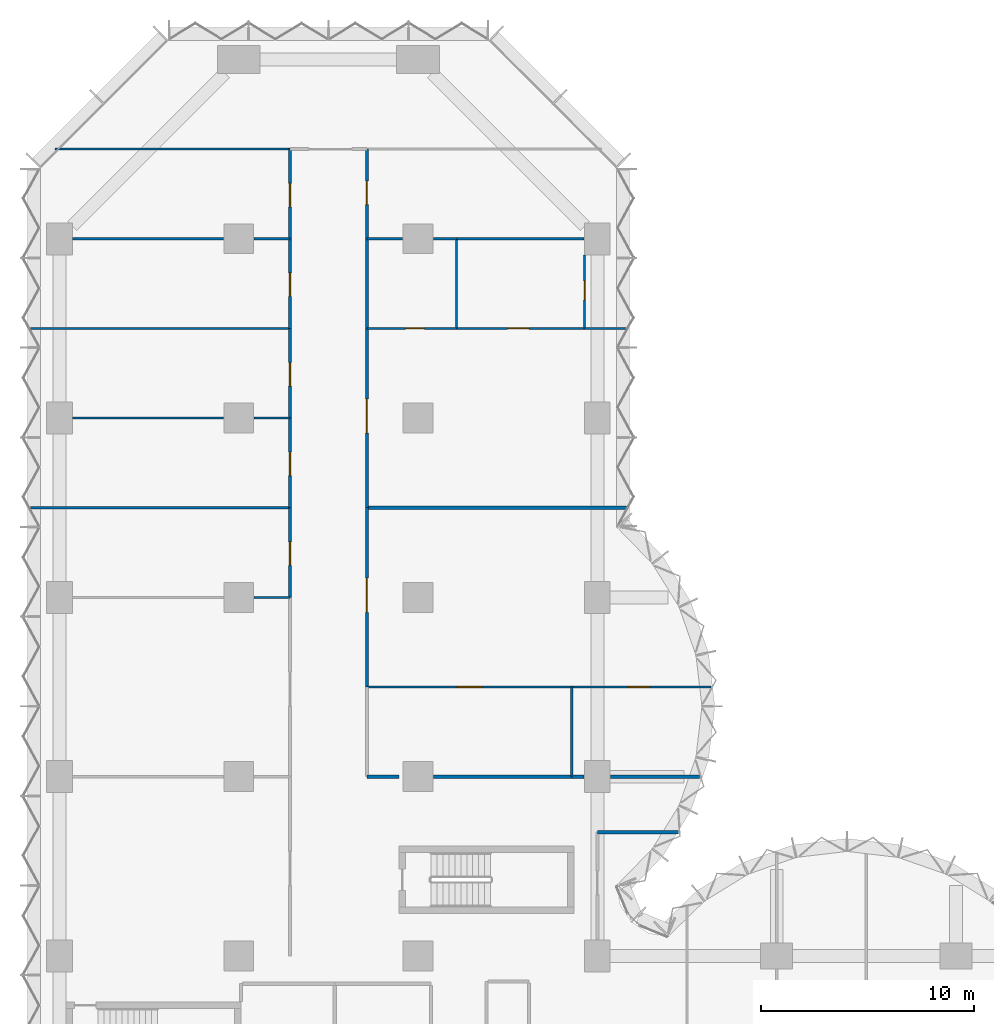
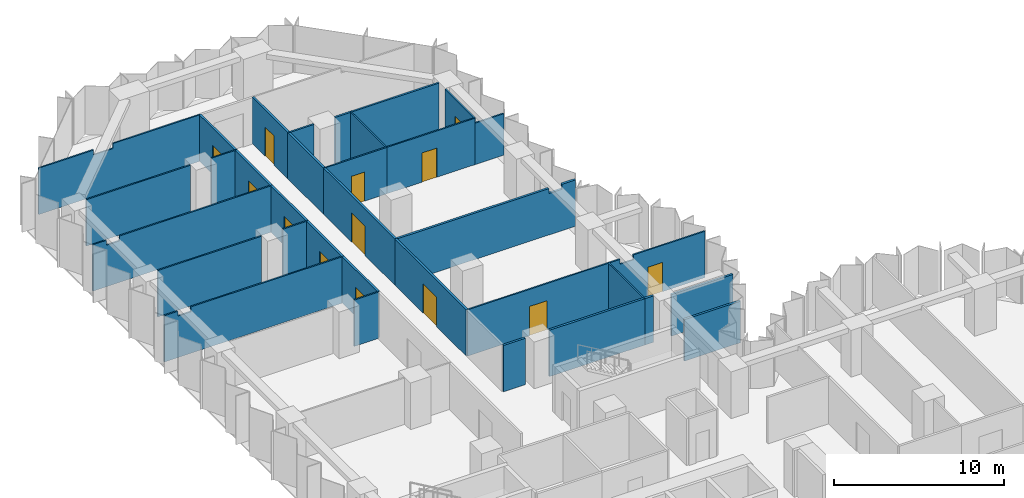
# One storey, part 11 of 15: 34 walls, 13 doors, 13 openings.
"""IFC4 building model written with IfcOpenShell, lengths in metres."""

from ifc_helpers import new_model, si_unit, direction, frame, frame_2d, origin, place, context, subcontext, project, spatial, polyline, rectangle, outline, extrude, material, layer, layer_set, type_object, element, fill, save


model = new_model("IFC4")

# Units and contexts
model_context = context("Model", 3, precision=1e-05, world=origin(), true_north=direction((0.0, 1.0)))
body_context = subcontext(model_context, "Body", "Model", "MODEL_VIEW")
ifc_project = project(units=[si_unit("LENGTHUNIT", "METRE"), si_unit("AREAUNIT", "SQUARE_METRE"), si_unit("VOLUMEUNIT", "CUBIC_METRE"), si_unit("PLANEANGLEUNIT", "RADIAN"), si_unit("MASSUNIT", "GRAM", prefix="KILO")], contexts=[model_context])

# Site, building, storey
site_placement = place(None, origin())
site = spatial("IfcSite", under=ifc_project, at=site_placement, CompositionType="ELEMENT")
building_placement = place(site_placement, origin())
building = spatial("IfcBuilding", under=site, at=building_placement, Name="Brevane Broadcast Tower", CompositionType="ELEMENT")
storey_placement = place(building_placement, frame((0.0, 0.0, 68.89990234375)))
storey = spatial("IfcBuildingStorey", under=building, at=storey_placement, Name="L15", CompositionType="ELEMENT", Elevation=68.89990234375)

# Walls
ifc_material_1 = material(Name="Gypsum board partition")
ifc_layer_1 = layer(ifc_material_1, 0.10009765625)
ifc_layer_set_1 = layer_set([ifc_layer_1], Name="PARTITION 100 STUD")
wall_type_1 = type_object("IfcWallType", Name="PARTITION 100 STUD", PredefinedType="PARTITIONING", material=ifc_layer_set_1)
wall_1_placement = place(storey_placement, frame((10.800048828125, 63.0, 0.0), z_axis=(0.0, 0.0, 1.0), x_axis=(-1.0, 0.0, 0.0)))
element("IfcWall", 1, at=wall_1_placement, inside=storey, type_object=wall_type_1, Name="Partition G04-054", PredefinedType="PARTITIONING", context=body_context, shape_type="SweptSolid", body=[
    extrude(outline(polyline([(0.0, 0.0), (11.0, 0.0), (11.0, 3.330078125), (7.265625, 3.330078125), (7.263671875, 2.97998046875), (5.936279296875, 2.97998046875), (5.934326171875, 3.330078125), (0.0, 3.330078125), (0.0, 0.0)])), frame((0.0, 0.050048828125, 0.0), z_axis=(0.0, -1.0, 0.0), x_axis=(1.0, 0.0, 0.0)), (0.0, 0.0, 1.0), 0.10009765625),
])
wall_2_placement = place(storey_placement, frame((9.1201171875, 42.0, 0.0), z_axis=(0.0, 0.0, 1.0), x_axis=(1.0, 0.0, 0.0)))
element("IfcWall", 2, at=wall_2_placement, inside=storey, type_object=wall_type_1, Name="Partition G04-059", PredefinedType="PARTITIONING", context=body_context, shape_type="SweptSolid", body=[
    extrude(rectangle(XDim=1.679931640625, YDim=0.10009765625, at=frame_2d((0.83984375, 0.0))), origin(), (0.0, 0.0, 1.0), 3.330078125),
])
wall_3_placement = place(storey_placement, frame((-1.364990234375, 46.199951171875, 0.0), z_axis=(0.0, 0.0, 1.0), x_axis=(1.0, 0.0, 0.0)))
element("IfcWall", 3, at=wall_3_placement, inside=storey, type_object=wall_type_1, Name="Partition G04-060", PredefinedType="PARTITIONING", context=body_context, shape_type="SweptSolid", body=[
    extrude(outline(polyline([(0.0, 0.0), (12.1650390625, 0.0), (12.1650390625, 3.330078125), (1.81494140625, 3.330078125), (1.81298828125, 2.97998046875), (0.9169921875, 2.97998046875), (0.9150390625, 3.330078125), (0.264892578125, 3.330078125), (0.0, 3.330078125), (0.0, 0.0)])), frame((0.0, 0.050048828125, 0.0), z_axis=(0.0, -1.0, 0.0), x_axis=(1.0, 0.0, 0.0)), (0.0, 0.0, 1.0), 0.10009765625),
])
wall_4_placement = place(storey_placement, frame((0.6201171875, 50.39990234375, 0.0), z_axis=(0.0, 0.0, 1.0), x_axis=(1.0, 0.0, 0.0)))
element("IfcWall", 4, at=wall_4_placement, inside=storey, type_object=wall_type_1, Name="Partition G04-061", PredefinedType="PARTITIONING", context=body_context, shape_type="SweptSolid", body=[
    extrude(rectangle(XDim=7.059814453125, YDim=0.10009765625, at=frame_2d((3.52978515625, 0.0))), origin(), (0.0, 0.0, 1.0), 3.330078125),
])
wall_5_placement = place(storey_placement, frame((9.1201171875, 50.39990234375, 0.0), z_axis=(0.0, 0.0, 1.0), x_axis=(1.0, 0.0, 0.0)))
element("IfcWall", 5, at=wall_5_placement, inside=storey, type_object=wall_type_1, Name="Partition G04-062", PredefinedType="PARTITIONING", context=body_context, shape_type="SweptSolid", body=[
    extrude(rectangle(XDim=1.679931640625, YDim=0.10009765625, at=frame_2d((0.83984375, 0.0))), origin(), (0.0, 0.0, 1.0), 3.330078125),
])
wall_6_placement = place(storey_placement, frame((-1.364990234375, 54.60009765625, 0.0), z_axis=(0.0, 0.0, 1.0), x_axis=(1.0, 0.0, 0.0)))
element("IfcWall", 6, at=wall_6_placement, inside=storey, type_object=wall_type_1, Name="Partition G04-063", PredefinedType="PARTITIONING", context=body_context, shape_type="SweptSolid", body=[
    extrude(outline(polyline([(0.0, 0.0), (12.1650390625, 0.0), (12.1650390625, 3.330078125), (1.81494140625, 3.330078125), (1.81298828125, 2.97998046875), (0.9169921875, 2.97998046875), (0.9150390625, 3.330078125), (0.264892578125, 3.330078125), (0.0, 3.330078125), (0.0, 0.0)])), frame((0.0, 0.050048828125, 0.0), z_axis=(0.0, -1.0, 0.0), x_axis=(1.0, 0.0, 0.0)), (0.0, 0.0, 1.0), 0.10009765625),
])
wall_7_placement = place(storey_placement, frame((0.6201171875, 58.800048828125, 0.0), z_axis=(0.0, 0.0, 1.0), x_axis=(1.0, 0.0, 0.0)))
element("IfcWall", 7, at=wall_7_placement, inside=storey, type_object=wall_type_1, Name="Partition G04-064", PredefinedType="PARTITIONING", context=body_context, shape_type="SweptSolid", body=[
    extrude(rectangle(XDim=7.059814453125, YDim=0.10009765625, at=frame_2d((3.52978515625, 0.0))), origin(), (0.0, 0.0, 1.0), 3.330078125),
])
wall_8_placement = place(storey_placement, frame((9.1201171875, 58.800048828125, 0.0), z_axis=(0.0, 0.0, 1.0), x_axis=(1.0, 0.0, 0.0)))
element("IfcWall", 8, at=wall_8_placement, inside=storey, type_object=wall_type_1, Name="Partition G04-065", PredefinedType="PARTITIONING", context=body_context, shape_type="SweptSolid", body=[
    extrude(rectangle(XDim=1.679931640625, YDim=0.10009765625, at=frame_2d((0.83984375, 0.0))), origin(), (0.0, 0.0, 1.0), 3.330078125),
])

# Wall, opening, door
wall_9_placement = place(storey_placement, frame((24.0, 37.800048828125, 0.0), z_axis=(0.0, 0.0, 1.0), x_axis=(-1.0, 0.0, 0.0)))
wall_9 = element("IfcWall", 9, at=wall_9_placement, inside=storey, type_object=wall_type_1, Name="Partition G04-066", PredefinedType="PARTITIONING", context=body_context, shape_type="SweptSolid", body=[
    extrude(rectangle(XDim=9.60009765625, YDim=0.10009765625, at=frame_2d((4.800048828125, 0.0))), origin(), (0.0, 0.0, 1.0), 3.330078125),
])
opening_1_placement = place(wall_9_placement, frame((4.199951171875, 0.0, 0.0)))
opening_1 = element("IfcOpeningElement", 10, at=opening_1_placement, cuts=wall_9, Name="Opening D10-023", PredefinedType="OPENING", context=body_context, shape_type="SweptSolid", body=[
    extrude(rectangle(XDim=1.199951171875, YDim=2.10009765625, at=frame_2d((0.60009765625, 1.050048828125))), frame((0.0, 0.06005859375, 0.0), z_axis=(0.0, -1.0, 0.0), x_axis=(1.0, 0.0, 0.0)), (0.0, 0.0, 1.0), 0.1201171875),
])
ifc_material_2 = material(Name="Timber door leaf", Category="wood")
door_type_1 = type_object("IfcDoorType", Name="DOOR SINGLE 1200 INTERNAL", OperationType="SINGLE_SWING_LEFT", PredefinedType="DOOR", material=ifc_material_2)
door_1_placement = place(opening_1_placement, origin())
door_1 = element("IfcDoor", 11, at=door_1_placement, inside=storey, type_object=door_type_1, Name="Door D10-023", OperationType="SINGLE_SWING_LEFT", OverallHeight=2.10009765625, OverallWidth=1.199951171875, PredefinedType="DOOR", context=body_context, shape_type="SweptSolid", body=[
    extrude(rectangle(XDim=1.199951171875, YDim=2.10009765625, at=frame_2d((0.60009765625, 1.050048828125))), frame((0.0, 0.02490234375, 0.0), z_axis=(0.0, -1.0, 0.0), x_axis=(1.0, 0.0, 0.0)), (0.0, 0.0, 1.0), 0.050048828125),
])
fill(opening_1, door_1)

wall_10_placement = place(storey_placement, frame((30.52587890625, 37.800048828125, 0.0), z_axis=(0.0, 0.0, 1.0), x_axis=(-1.0, 0.0, 0.0)))
wall_10 = element("IfcWall", 12, at=wall_10_placement, inside=storey, type_object=wall_type_1, Name="Partition G04-067", PredefinedType="PARTITIONING", context=body_context, shape_type="SweptSolid", body=[
    extrude(outline(polyline([(0.0, 0.0), (6.52587890625, 0.0), (6.52587890625, 3.330078125), (5.77587890625, 3.330078125), (5.77392578125, 2.97998046875), (4.8779296875, 2.97998046875), (4.8759765625, 3.330078125), (0.283203125, 3.330078125), (0.0, 3.330078125), (0.0, 0.0)])), frame((0.0, 0.050048828125, 0.0), z_axis=(0.0, -1.0, 0.0), x_axis=(1.0, 0.0, 0.0)), (0.0, 0.0, 1.0), 0.10009765625),
])
opening_2_placement = place(wall_10_placement, frame((2.88330078125, 0.0, 0.0)))
opening_2 = element("IfcOpeningElement", 13, at=opening_2_placement, cuts=wall_10, Name="Opening D10-024", PredefinedType="OPENING", context=body_context, shape_type="SweptSolid", body=[
    extrude(rectangle(XDim=1.0, YDim=2.10009765625, at=frame_2d((0.5, 1.050048828125))), frame((0.0, 0.06005859375, 0.0), z_axis=(0.0, -1.0, 0.0), x_axis=(1.0, 0.0, 0.0)), (0.0, 0.0, 1.0), 0.1201171875),
])
door_type_2 = type_object("IfcDoorType", Name="DOOR SINGLE 1000 INTERNAL", OperationType="SINGLE_SWING_LEFT", PredefinedType="DOOR", material=ifc_material_2)
door_2_placement = place(opening_2_placement, origin())
door_2 = element("IfcDoor", 14, at=door_2_placement, inside=storey, type_object=door_type_2, Name="Door D10-024", OperationType="SINGLE_SWING_LEFT", OverallHeight=2.10009765625, OverallWidth=1.0, PredefinedType="DOOR", context=body_context, shape_type="SweptSolid", body=[
    extrude(rectangle(XDim=1.0, YDim=2.10009765625, at=frame_2d((0.5, 1.050048828125))), frame((0.0, 0.02490234375, 0.0), z_axis=(0.0, -1.0, 0.0), x_axis=(1.0, 0.0, 0.0)), (0.0, 0.0, 1.0), 0.050048828125),
])
fill(opening_2, door_2)

# Wall
wall_11_placement = place(storey_placement, frame((24.0, 37.800048828125, 0.0), z_axis=(0.0, 0.0, 1.0), x_axis=(0.0, -1.0, 0.0)))
element("IfcWall", 15, at=wall_11_placement, inside=storey, type_object=wall_type_1, Name="Partition G04-069", PredefinedType="PARTITIONING", context=body_context, shape_type="SweptSolid", body=[
    extrude(rectangle(XDim=4.199951171875, YDim=0.10009765625, at=frame_2d((2.10009765625, 0.0))), origin(), (0.0, 0.0, 1.0), 3.330078125),
])

# Wall, opening, door
wall_12_placement = place(storey_placement, frame((14.39990234375, 54.60009765625, 0.0), z_axis=(0.0, 0.0, 1.0), x_axis=(1.0, 0.0, 0.0)))
wall_12 = element("IfcWall", 16, at=wall_12_placement, inside=storey, type_object=wall_type_1, Name="Partition G04-070", PredefinedType="PARTITIONING", context=body_context, shape_type="SweptSolid", body=[
    extrude(rectangle(XDim=4.2001953125, YDim=0.10009765625, at=frame_2d((2.10009765625, 0.0))), origin(), (0.0, 0.0, 1.0), 3.330078125),
])
opening_3_placement = place(wall_12_placement, frame((1.800048828125, 0.0, 0.0)))
opening_3 = element("IfcOpeningElement", 17, at=opening_3_placement, cuts=wall_12, Name="Opening D10-026", PredefinedType="OPENING", context=body_context, shape_type="SweptSolid", body=[
    extrude(rectangle(XDim=0.89990234375, YDim=2.10009765625, at=frame_2d((0.449951171875, 1.050048828125))), frame((0.0, 0.06005859375, 0.0), z_axis=(0.0, -1.0, 0.0), x_axis=(1.0, 0.0, 0.0)), (0.0, 0.0, 1.0), 0.1201171875),
])
door_type_3 = type_object("IfcDoorType", Name="DOOR SINGLE 900 INTERNAL", OperationType="SINGLE_SWING_LEFT", PredefinedType="DOOR", material=ifc_material_2)
door_3_placement = place(opening_3_placement, origin())
door_3 = element("IfcDoor", 18, at=door_3_placement, inside=storey, type_object=door_type_3, Name="Door D10-026", OperationType="SINGLE_SWING_LEFT", OverallHeight=2.10009765625, OverallWidth=0.89990234375, PredefinedType="DOOR", context=body_context, shape_type="SweptSolid", body=[
    extrude(rectangle(XDim=0.89990234375, YDim=2.10009765625, at=frame_2d((0.449951171875, 1.050048828125))), frame((0.0, 0.02490234375, 0.0), z_axis=(0.0, -1.0, 0.0), x_axis=(1.0, 0.0, 0.0)), (0.0, 0.0, 1.0), 0.050048828125),
])
fill(opening_3, door_3)

wall_13_placement = place(storey_placement, frame((18.60009765625, 54.60009765625, 0.0), z_axis=(0.0, 0.0, 1.0), x_axis=(1.0, 0.0, 0.0)))
wall_13 = element("IfcWall", 19, at=wall_13_placement, inside=storey, type_object=wall_type_1, Name="Partition G04-071", PredefinedType="PARTITIONING", context=body_context, shape_type="SweptSolid", body=[
    extrude(rectangle(XDim=6.0, YDim=0.10009765625, at=frame_2d((3.0, 0.0))), origin(), (0.0, 0.0, 1.0), 3.330078125),
])
opening_4_placement = place(wall_13_placement, frame((2.39990234375, 0.0, 0.0)))
opening_4 = element("IfcOpeningElement", 20, at=opening_4_placement, cuts=wall_13, Name="Opening D10-027", PredefinedType="OPENING", context=body_context, shape_type="SweptSolid", body=[
    extrude(rectangle(XDim=1.0, YDim=2.10009765625, at=frame_2d((0.5, 1.050048828125))), frame((0.0, 0.06005859375, 0.0), z_axis=(0.0, -1.0, 0.0), x_axis=(1.0, 0.0, 0.0)), (0.0, 0.0, 1.0), 0.1201171875),
])
door_4_placement = place(opening_4_placement, origin())
door_4 = element("IfcDoor", 21, at=door_4_placement, inside=storey, type_object=door_type_2, Name="Door D10-027", OperationType="SINGLE_SWING_LEFT", OverallHeight=2.10009765625, OverallWidth=1.0, PredefinedType="DOOR", context=body_context, shape_type="SweptSolid", body=[
    extrude(rectangle(XDim=1.0, YDim=2.10009765625, at=frame_2d((0.5, 1.050048828125))), frame((0.0, 0.02490234375, 0.0), z_axis=(0.0, -1.0, 0.0), x_axis=(1.0, 0.0, 0.0)), (0.0, 0.0, 1.0), 0.050048828125),
])
fill(opening_4, door_4)

# Walls
wall_14_placement = place(storey_placement, frame((24.60009765625, 54.60009765625, 0.0), z_axis=(0.0, 0.0, 1.0), x_axis=(1.0, 0.0, 0.0)))
element("IfcWall", 22, at=wall_14_placement, inside=storey, type_object=wall_type_1, Name="Partition G04-072", PredefinedType="PARTITIONING", context=body_context, shape_type="SweptSolid", body=[
    extrude(rectangle(XDim=1.96484375, YDim=0.10009765625, at=frame_2d((0.982421875, 0.0))), origin(), (0.0, 0.0, 1.0), 2.97998046875),
])
wall_15_placement = place(storey_placement, frame((18.60009765625, 58.800048828125, 0.0), z_axis=(0.0, 0.0, 1.0), x_axis=(0.0, -1.0, 0.0)))
element("IfcWall", 23, at=wall_15_placement, inside=storey, type_object=wall_type_1, Name="Partition G04-073", PredefinedType="PARTITIONING", context=body_context, shape_type="SweptSolid", body=[
    extrude(rectangle(XDim=4.199951171875, YDim=0.10009765625, at=frame_2d((2.10009765625, 0.0))), origin(), (0.0, 0.0, 1.0), 3.330078125),
])

# Wall, opening, door
wall_16_placement = place(storey_placement, frame((24.60009765625, 58.030029296875, 0.0), z_axis=(0.0, 0.0, 1.0), x_axis=(0.0, -1.0, 0.0)))
wall_16 = element("IfcWall", 24, at=wall_16_placement, inside=storey, type_object=wall_type_1, Name="Partition G04-076", PredefinedType="PARTITIONING", context=body_context, shape_type="SweptSolid", body=[
    extrude(rectangle(XDim=3.429931640625, YDim=0.10009765625, at=frame_2d((1.71484375, 0.0))), origin(), (0.0, 0.0, 1.0), 3.330078125),
])
opening_5_placement = place(wall_16_placement, frame((1.199951171875, 0.0, 0.0)))
opening_5 = element("IfcOpeningElement", 25, at=opening_5_placement, cuts=wall_16, Name="Opening D10-028", PredefinedType="OPENING", context=body_context, shape_type="SweptSolid", body=[
    extrude(rectangle(XDim=0.89990234375, YDim=2.10009765625, at=frame_2d((0.449951171875, 1.050048828125))), frame((0.0, 0.06005859375, 0.0), z_axis=(0.0, -1.0, 0.0), x_axis=(1.0, 0.0, 0.0)), (0.0, 0.0, 1.0), 0.1201171875),
])
door_5_placement = place(opening_5_placement, origin())
door_5 = element("IfcDoor", 26, at=door_5_placement, inside=storey, type_object=door_type_3, Name="Door D10-028", OperationType="SINGLE_SWING_LEFT", OverallHeight=2.10009765625, OverallWidth=0.89990234375, PredefinedType="DOOR", context=body_context, shape_type="SweptSolid", body=[
    extrude(rectangle(XDim=0.89990234375, YDim=2.10009765625, at=frame_2d((0.449951171875, 1.050048828125))), frame((0.0, 0.02490234375, 0.0), z_axis=(0.0, -1.0, 0.0), x_axis=(1.0, 0.0, 0.0)), (0.0, 0.0, 1.0), 0.050048828125),
])
fill(opening_5, door_5)

# Walls
ifc_layer_2 = layer(ifc_material_1, 0.125)
ifc_layer_set_2 = layer_set([ifc_layer_2], Name="PARTITION 125 ACOUSTIC")
wall_type_2 = type_object("IfcWallType", Name="PARTITION 125 ACOUSTIC", PredefinedType="PARTITIONING", material=ifc_layer_set_2)
wall_17_placement = place(storey_placement, frame((14.39990234375, 58.800048828125, 0.0), z_axis=(0.0, 0.0, 1.0), x_axis=(1.0, 0.0, 0.0)))
element("IfcWall", 27, at=wall_17_placement, inside=storey, type_object=wall_type_2, Name="Partition G04-074", PredefinedType="PARTITIONING", context=body_context, shape_type="SweptSolid", body=[
    extrude(rectangle(XDim=1.68017578125, YDim=0.125, at=frame_2d((0.840087890625, 0.0))), origin(), (0.0, 0.0, 1.0), 3.330078125),
])
wall_18_placement = place(storey_placement, frame((17.52001953125, 58.800048828125, 0.0), z_axis=(0.0, 0.0, 1.0), x_axis=(1.0, 0.0, 0.0)))
element("IfcWall", 28, at=wall_18_placement, inside=storey, type_object=wall_type_2, Name="Partition G04-075", PredefinedType="PARTITIONING", context=body_context, shape_type="SweptSolid", body=[
    extrude(rectangle(XDim=1.080078125, YDim=0.125, at=frame_2d((0.5400390625, 0.0))), origin(), (0.0, 0.0, 1.0), 3.330078125),
])
wall_19_placement = place(storey_placement, frame((18.60009765625, 58.800048828125, 0.0), z_axis=(0.0, 0.0, 1.0), x_axis=(1.0, 0.0, 0.0)))
element("IfcWall", 29, at=wall_19_placement, inside=storey, type_object=wall_type_2, Name="Partition G04-077", PredefinedType="PARTITIONING", context=body_context, shape_type="SweptSolid", body=[
    extrude(rectangle(XDim=5.97998046875, YDim=0.125, at=frame_2d((2.989990234375, 0.0))), origin(), (0.0, 0.0, 1.0), 3.330078125),
])
ifc_layer_3 = layer(ifc_material_1, 0.14990234375)
ifc_layer_set_3 = layer_set([ifc_layer_3], Name="PARTITION 150 EI 60")
wall_type_3 = type_object("IfcWallType", Name="PARTITION 150 EI 60", PredefinedType="PARTITIONING", material=ifc_layer_set_3)
wall_20_placement = place(storey_placement, frame((25.199951171875, 31.0, 0.0), z_axis=(0.0, 0.0, 1.0), x_axis=(1.0, 0.0, 0.0)))
element("IfcWall", 30, at=wall_20_placement, inside=storey, type_object=wall_type_3, Name="Partition G04-006", PredefinedType="PARTITIONING", context=body_context, shape_type="SweptSolid", body=[
    extrude(rectangle(XDim=3.80615234375, YDim=0.14990234375, at=frame_2d((1.903076171875, 0.0))), origin(), (0.0, 0.0, 1.0), 2.97998046875),
])
wall_21_placement = place(storey_placement, frame((14.39990234375, 33.60009765625, 0.0), z_axis=(0.0, 0.0, 1.0), x_axis=(1.0, 0.0, 0.0)))
element("IfcWall", 31, at=wall_21_placement, inside=storey, type_object=wall_type_3, Name="Partition G04-038", PredefinedType="PARTITIONING", context=body_context, shape_type="SweptSolid", body=[
    extrude(rectangle(XDim=1.5, YDim=0.14990234375, at=frame_2d((0.75, 0.0))), origin(), (0.0, 0.0, 1.0), 3.330078125),
])
wall_22_placement = place(storey_placement, frame((17.52001953125, 33.60009765625, 0.0), z_axis=(0.0, 0.0, 1.0), x_axis=(1.0, 0.0, 0.0)))
element("IfcWall", 32, at=wall_22_placement, inside=storey, type_object=wall_type_3, Name="Partition G04-039", PredefinedType="PARTITIONING", context=body_context, shape_type="SweptSolid", body=[
    extrude(rectangle(XDim=6.47998046875, YDim=0.14990234375, at=frame_2d((3.239990234375, 0.0))), origin(), (0.0, 0.0, 1.0), 3.330078125),
])
wall_23_placement = place(storey_placement, frame((24.0, 33.60009765625, 0.0), z_axis=(0.0, 0.0, 1.0), x_axis=(1.0, 0.0, 0.0)))
element("IfcWall", 33, at=wall_23_placement, inside=storey, type_object=wall_type_3, Name="Partition G04-040", PredefinedType="PARTITIONING", context=body_context, shape_type="SweptSolid", body=[
    extrude(rectangle(XDim=0.580078125, YDim=0.14990234375, at=frame_2d((0.2900390625, 0.0))), origin(), (0.0, 0.0, 1.0), 3.330078125),
])
wall_24_placement = place(storey_placement, frame((25.820068359375, 33.60009765625, 0.0), z_axis=(0.0, 0.0, 1.0), x_axis=(1.0, 0.0, 0.0)))
element("IfcWall", 34, at=wall_24_placement, inside=storey, type_object=wall_type_3, Name="Partition G04-041", PredefinedType="PARTITIONING", context=body_context, shape_type="SweptSolid", body=[
    extrude(rectangle(XDim=4.168212890625, YDim=0.14990234375, at=frame_2d((2.083984375, 0.0))), origin(), (0.0, 0.0, 1.0), 2.97998046875),
])

# Wall, opening, door
wall_25_placement = place(storey_placement, frame((10.800048828125, 42.0, 0.0), z_axis=(0.0, 0.0, 1.0), x_axis=(0.0, 1.0, 0.0)))
wall_25 = element("IfcWall", 35, at=wall_25_placement, inside=storey, type_object=wall_type_3, Name="Partition G04-044", PredefinedType="PARTITIONING", context=body_context, shape_type="SweptSolid", body=[
    extrude(rectangle(XDim=4.199951171875, YDim=0.14990234375, at=frame_2d((2.10009765625, 0.0))), origin(), (0.0, 0.0, 1.0), 3.330078125),
])
opening_6_placement = place(wall_25_placement, frame((1.5, 0.0, 0.0)))
opening_6 = element("IfcOpeningElement", 36, at=opening_6_placement, cuts=wall_25, Name="Opening D10-017", PredefinedType="OPENING", context=body_context, shape_type="SweptSolid", body=[
    extrude(rectangle(XDim=1.10009765625, YDim=2.10009765625, at=frame_2d((0.550048828125, 1.050048828125))), frame((0.0, 0.0849609375, 0.0), z_axis=(0.0, -1.0, 0.0), x_axis=(1.0, 0.0, 0.0)), (0.0, 0.0, 1.0), 0.169921875),
])
ifc_material_3 = material(Name="Fire-rated timber door leaf", Category="wood")
door_type_4 = type_object("IfcDoorType", Name="DOOR SINGLE 1100 FD30S", OperationType="SINGLE_SWING_LEFT", PredefinedType="DOOR", material=ifc_material_3)
door_6_placement = place(opening_6_placement, origin())
door_6 = element("IfcDoor", 37, at=door_6_placement, inside=storey, type_object=door_type_4, Name="Door D10-017", OperationType="SINGLE_SWING_LEFT", OverallHeight=2.10009765625, OverallWidth=1.10009765625, PredefinedType="DOOR", context=body_context, shape_type="SweptSolid", body=[
    extrude(rectangle(XDim=1.10009765625, YDim=2.10009765625, at=frame_2d((0.550048828125, 1.050048828125))), frame((0.0, 0.02490234375, 0.0), z_axis=(0.0, -1.0, 0.0), x_axis=(1.0, 0.0, 0.0)), (0.0, 0.0, 1.0), 0.050048828125),
])
fill(opening_6, door_6)

wall_26_placement = place(storey_placement, frame((10.800048828125, 46.199951171875, 0.0), z_axis=(0.0, 0.0, 1.0), x_axis=(0.0, 1.0, 0.0)))
wall_26 = element("IfcWall", 38, at=wall_26_placement, inside=storey, type_object=wall_type_3, Name="Partition G04-045", PredefinedType="PARTITIONING", context=body_context, shape_type="SweptSolid", body=[
    extrude(rectangle(XDim=4.199951171875, YDim=0.14990234375, at=frame_2d((2.10009765625, 0.0))), origin(), (0.0, 0.0, 1.0), 3.330078125),
])
opening_7_placement = place(wall_26_placement, frame((1.5, 0.0, 0.0)))
opening_7 = element("IfcOpeningElement", 39, at=opening_7_placement, cuts=wall_26, Name="Opening D10-018", PredefinedType="OPENING", context=body_context, shape_type="SweptSolid", body=[
    extrude(rectangle(XDim=1.10009765625, YDim=2.10009765625, at=frame_2d((0.550048828125, 1.050048828125))), frame((0.0, 0.0849609375, 0.0), z_axis=(0.0, -1.0, 0.0), x_axis=(1.0, 0.0, 0.0)), (0.0, 0.0, 1.0), 0.169921875),
])
door_7_placement = place(opening_7_placement, origin())
door_7 = element("IfcDoor", 40, at=door_7_placement, inside=storey, type_object=door_type_4, Name="Door D10-018", OperationType="SINGLE_SWING_LEFT", OverallHeight=2.10009765625, OverallWidth=1.10009765625, PredefinedType="DOOR", context=body_context, shape_type="SweptSolid", body=[
    extrude(rectangle(XDim=1.10009765625, YDim=2.10009765625, at=frame_2d((0.550048828125, 1.050048828125))), frame((0.0, 0.02490234375, 0.0), z_axis=(0.0, -1.0, 0.0), x_axis=(1.0, 0.0, 0.0)), (0.0, 0.0, 1.0), 0.050048828125),
])
fill(opening_7, door_7)

wall_27_placement = place(storey_placement, frame((10.800048828125, 50.39990234375, 0.0), z_axis=(0.0, 0.0, 1.0), x_axis=(0.0, 1.0, 0.0)))
wall_27 = element("IfcWall", 41, at=wall_27_placement, inside=storey, type_object=wall_type_3, Name="Partition G04-046", PredefinedType="PARTITIONING", context=body_context, shape_type="SweptSolid", body=[
    extrude(rectangle(XDim=4.2001953125, YDim=0.14990234375, at=frame_2d((2.10009765625, 0.0))), origin(), (0.0, 0.0, 1.0), 3.330078125),
])
opening_8_placement = place(wall_27_placement, frame((1.5, 0.0, 0.0)))
opening_8 = element("IfcOpeningElement", 42, at=opening_8_placement, cuts=wall_27, Name="Opening D10-019", PredefinedType="OPENING", context=body_context, shape_type="SweptSolid", body=[
    extrude(rectangle(XDim=1.10009765625, YDim=2.10009765625, at=frame_2d((0.550048828125, 1.050048828125))), frame((0.0, 0.0849609375, 0.0), z_axis=(0.0, -1.0, 0.0), x_axis=(1.0, 0.0, 0.0)), (0.0, 0.0, 1.0), 0.169921875),
])
door_8_placement = place(opening_8_placement, origin())
door_8 = element("IfcDoor", 43, at=door_8_placement, inside=storey, type_object=door_type_4, Name="Door D10-019", OperationType="SINGLE_SWING_LEFT", OverallHeight=2.10009765625, OverallWidth=1.10009765625, PredefinedType="DOOR", context=body_context, shape_type="SweptSolid", body=[
    extrude(rectangle(XDim=1.10009765625, YDim=2.10009765625, at=frame_2d((0.550048828125, 1.050048828125))), frame((0.0, 0.02490234375, 0.0), z_axis=(0.0, -1.0, 0.0), x_axis=(1.0, 0.0, 0.0)), (0.0, 0.0, 1.0), 0.050048828125),
])
fill(opening_8, door_8)

wall_28_placement = place(storey_placement, frame((10.800048828125, 54.60009765625, 0.0), z_axis=(0.0, 0.0, 1.0), x_axis=(0.0, 1.0, 0.0)))
wall_28 = element("IfcWall", 44, at=wall_28_placement, inside=storey, type_object=wall_type_3, Name="Partition G04-047", PredefinedType="PARTITIONING", context=body_context, shape_type="SweptSolid", body=[
    extrude(rectangle(XDim=4.199951171875, YDim=0.14990234375, at=frame_2d((2.10009765625, 0.0))), origin(), (0.0, 0.0, 1.0), 3.330078125),
])
opening_9_placement = place(wall_28_placement, frame((1.5, 0.0, 0.0)))
opening_9 = element("IfcOpeningElement", 45, at=opening_9_placement, cuts=wall_28, Name="Opening D10-020", PredefinedType="OPENING", context=body_context, shape_type="SweptSolid", body=[
    extrude(rectangle(XDim=1.10009765625, YDim=2.10009765625, at=frame_2d((0.550048828125, 1.050048828125))), frame((0.0, 0.0849609375, 0.0), z_axis=(0.0, -1.0, 0.0), x_axis=(1.0, 0.0, 0.0)), (0.0, 0.0, 1.0), 0.169921875),
])
door_9_placement = place(opening_9_placement, origin())
door_9 = element("IfcDoor", 46, at=door_9_placement, inside=storey, type_object=door_type_4, Name="Door D10-020", OperationType="SINGLE_SWING_LEFT", OverallHeight=2.10009765625, OverallWidth=1.10009765625, PredefinedType="DOOR", context=body_context, shape_type="SweptSolid", body=[
    extrude(rectangle(XDim=1.10009765625, YDim=2.10009765625, at=frame_2d((0.550048828125, 1.050048828125))), frame((0.0, 0.02490234375, 0.0), z_axis=(0.0, -1.0, 0.0), x_axis=(1.0, 0.0, 0.0)), (0.0, 0.0, 1.0), 0.050048828125),
])
fill(opening_9, door_9)

wall_29_placement = place(storey_placement, frame((10.800048828125, 58.800048828125, 0.0), z_axis=(0.0, 0.0, 1.0), x_axis=(0.0, 1.0, 0.0)))
wall_29 = element("IfcWall", 47, at=wall_29_placement, inside=storey, type_object=wall_type_3, Name="Partition G04-048", PredefinedType="PARTITIONING", context=body_context, shape_type="SweptSolid", body=[
    extrude(rectangle(XDim=4.199951171875, YDim=0.14990234375, at=frame_2d((2.10009765625, 0.0))), origin(), (0.0, 0.0, 1.0), 3.330078125),
])
opening_10_placement = place(wall_29_placement, frame((1.5, 0.0, 0.0)))
opening_10 = element("IfcOpeningElement", 48, at=opening_10_placement, cuts=wall_29, Name="Opening D10-021", PredefinedType="OPENING", context=body_context, shape_type="SweptSolid", body=[
    extrude(rectangle(XDim=1.10009765625, YDim=2.10009765625, at=frame_2d((0.550048828125, 1.050048828125))), frame((0.0, 0.0849609375, 0.0), z_axis=(0.0, -1.0, 0.0), x_axis=(1.0, 0.0, 0.0)), (0.0, 0.0, 1.0), 0.169921875),
])
door_10_placement = place(opening_10_placement, origin())
door_10 = element("IfcDoor", 49, at=door_10_placement, inside=storey, type_object=door_type_4, Name="Door D10-021", OperationType="SINGLE_SWING_LEFT", OverallHeight=2.10009765625, OverallWidth=1.10009765625, PredefinedType="DOOR", context=body_context, shape_type="SweptSolid", body=[
    extrude(rectangle(XDim=1.10009765625, YDim=2.10009765625, at=frame_2d((0.550048828125, 1.050048828125))), frame((0.0, 0.02490234375, 0.0), z_axis=(0.0, -1.0, 0.0), x_axis=(1.0, 0.0, 0.0)), (0.0, 0.0, 1.0), 0.050048828125),
])
fill(opening_10, door_10)

wall_30_placement = place(storey_placement, frame((14.39990234375, 46.199951171875, 0.0), z_axis=(0.0, 0.0, 1.0), x_axis=(0.0, -1.0, 0.0)))
wall_30 = element("IfcWall", 50, at=wall_30_placement, inside=storey, type_object=wall_type_3, Name="Partition G04-049", PredefinedType="PARTITIONING", context=body_context, shape_type="SweptSolid", body=[
    extrude(rectangle(XDim=8.39990234375, YDim=0.14990234375, at=frame_2d((4.199951171875, 0.0))), origin(), (0.0, 0.0, 1.0), 3.330078125),
])
opening_11_placement = place(wall_30_placement, frame((3.300048828125, 0.0, 0.0)))
opening_11 = element("IfcOpeningElement", 51, at=opening_11_placement, cuts=wall_30, Name="Opening D10-022", PredefinedType="OPENING", context=body_context, shape_type="SweptSolid", body=[
    extrude(rectangle(XDim=1.60009765625, YDim=2.10009765625, at=frame_2d((0.800048828125, 1.050048828125))), frame((0.0, 0.0849609375, 0.0), z_axis=(0.0, -1.0, 0.0), x_axis=(1.0, 0.0, 0.0)), (0.0, 0.0, 1.0), 0.169921875),
])
door_type_5 = type_object("IfcDoorType", Name="DOOR DOUBLE 1600 FD30S", OperationType="DOUBLE_DOOR_SINGLE_SWING", PredefinedType="DOOR", material=ifc_material_3)
door_11_placement = place(opening_11_placement, origin())
door_11 = element("IfcDoor", 52, at=door_11_placement, inside=storey, type_object=door_type_5, Name="Door D10-022", OperationType="DOUBLE_DOOR_SINGLE_SWING", OverallHeight=2.10009765625, OverallWidth=1.60009765625, PredefinedType="DOOR", context=body_context, shape_type="SweptSolid", body=[
    extrude(rectangle(XDim=1.60009765625, YDim=2.10009765625, at=frame_2d((0.800048828125, 1.050048828125))), frame((0.0, 0.02490234375, 0.0), z_axis=(0.0, -1.0, 0.0), x_axis=(1.0, 0.0, 0.0)), (0.0, 0.0, 1.0), 0.050048828125),
])
fill(opening_11, door_11)

wall_31_placement = place(storey_placement, frame((14.39990234375, 54.60009765625, 0.0), z_axis=(0.0, 0.0, 1.0), x_axis=(0.0, -1.0, 0.0)))
wall_31 = element("IfcWall", 53, at=wall_31_placement, inside=storey, type_object=wall_type_3, Name="Partition G04-051", PredefinedType="PARTITIONING", context=body_context, shape_type="SweptSolid", body=[
    extrude(rectangle(XDim=8.400146484375, YDim=0.14990234375, at=frame_2d((4.2001953125, 0.0))), origin(), (0.0, 0.0, 1.0), 3.330078125),
])
opening_12_placement = place(wall_31_placement, frame((3.300048828125, 0.0, 0.0)))
opening_12 = element("IfcOpeningElement", 54, at=opening_12_placement, cuts=wall_31, Name="Opening D10-025", PredefinedType="OPENING", context=body_context, shape_type="SweptSolid", body=[
    extrude(rectangle(XDim=1.60009765625, YDim=2.10009765625, at=frame_2d((0.800048828125, 1.050048828125))), frame((0.0, 0.0849609375, 0.0), z_axis=(0.0, -1.0, 0.0), x_axis=(1.0, 0.0, 0.0)), (0.0, 0.0, 1.0), 0.169921875),
])
door_12_placement = place(opening_12_placement, origin())
door_12 = element("IfcDoor", 55, at=door_12_placement, inside=storey, type_object=door_type_5, Name="Door D10-025", OperationType="DOUBLE_DOOR_SINGLE_SWING", OverallHeight=2.10009765625, OverallWidth=1.60009765625, PredefinedType="DOOR", context=body_context, shape_type="SweptSolid", body=[
    extrude(rectangle(XDim=1.60009765625, YDim=2.10009765625, at=frame_2d((0.800048828125, 1.050048828125))), frame((0.0, 0.02490234375, 0.0), z_axis=(0.0, -1.0, 0.0), x_axis=(1.0, 0.0, 0.0)), (0.0, 0.0, 1.0), 0.050048828125),
])
fill(opening_12, door_12)

# Wall
wall_32_placement = place(storey_placement, frame((14.39990234375, 58.800048828125, 0.0), z_axis=(0.0, 0.0, 1.0), x_axis=(0.0, -1.0, 0.0)))
element("IfcWall", 56, at=wall_32_placement, inside=storey, type_object=wall_type_3, Name="Partition G04-052", PredefinedType="PARTITIONING", context=body_context, shape_type="SweptSolid", body=[
    extrude(rectangle(XDim=4.199951171875, YDim=0.14990234375, at=frame_2d((2.10009765625, 0.0))), origin(), (0.0, 0.0, 1.0), 3.330078125),
])

# Wall, opening, door
wall_33_placement = place(storey_placement, frame((14.39990234375, 63.0, 0.0), z_axis=(0.0, 0.0, 1.0), x_axis=(0.0, -1.0, 0.0)))
wall_33 = element("IfcWall", 57, at=wall_33_placement, inside=storey, type_object=wall_type_3, Name="Partition G04-053", PredefinedType="PARTITIONING", context=body_context, shape_type="SweptSolid", body=[
    extrude(rectangle(XDim=4.199951171875, YDim=0.14990234375, at=frame_2d((2.10009765625, 0.0))), origin(), (0.0, 0.0, 1.0), 3.330078125),
])
opening_13_placement = place(wall_33_placement, frame((1.5, 0.0, 0.0)))
opening_13 = element("IfcOpeningElement", 58, at=opening_13_placement, cuts=wall_33, Name="Opening D10-029", PredefinedType="OPENING", context=body_context, shape_type="SweptSolid", body=[
    extrude(rectangle(XDim=1.10009765625, YDim=2.10009765625, at=frame_2d((0.550048828125, 1.050048828125))), frame((0.0, 0.0849609375, 0.0), z_axis=(0.0, -1.0, 0.0), x_axis=(1.0, 0.0, 0.0)), (0.0, 0.0, 1.0), 0.169921875),
])
door_13_placement = place(opening_13_placement, origin())
door_13 = element("IfcDoor", 59, at=door_13_placement, inside=storey, type_object=door_type_4, Name="Door D10-029", OperationType="SINGLE_SWING_LEFT", OverallHeight=2.10009765625, OverallWidth=1.10009765625, PredefinedType="DOOR", context=body_context, shape_type="SweptSolid", body=[
    extrude(rectangle(XDim=1.10009765625, YDim=2.10009765625, at=frame_2d((0.550048828125, 1.050048828125))), frame((0.0, 0.02490234375, 0.0), z_axis=(0.0, -1.0, 0.0), x_axis=(1.0, 0.0, 0.0)), (0.0, 0.0, 1.0), 0.050048828125),
])
fill(opening_13, door_13)

# Wall
wall_34_placement = place(storey_placement, frame((14.39990234375, 46.199951171875, 0.0), z_axis=(0.0, 0.0, 1.0), x_axis=(1.0, 0.0, 0.0)))
element("IfcWall", 60, at=wall_34_placement, inside=storey, type_object=wall_type_3, Name="Partition G04-068", PredefinedType="PARTITIONING", context=body_context, shape_type="SweptSolid", body=[
    extrude(outline(polyline([(0.0, 0.0), (12.1650390625, 0.0), (12.1650390625, 3.330078125), (11.89990234375, 3.330078125), (11.25, 3.330078125), (11.248046875, 2.97998046875), (10.35205078125, 2.97998046875), (10.35009765625, 3.330078125), (0.0, 3.330078125), (0.0, 0.0)])), frame((0.0, 0.074951171875, 0.0), z_axis=(0.0, -1.0, 0.0), x_axis=(1.0, 0.0, 0.0)), (0.0, 0.0, 1.0), 0.14990234375),
])

save(model, "model.ifc")
